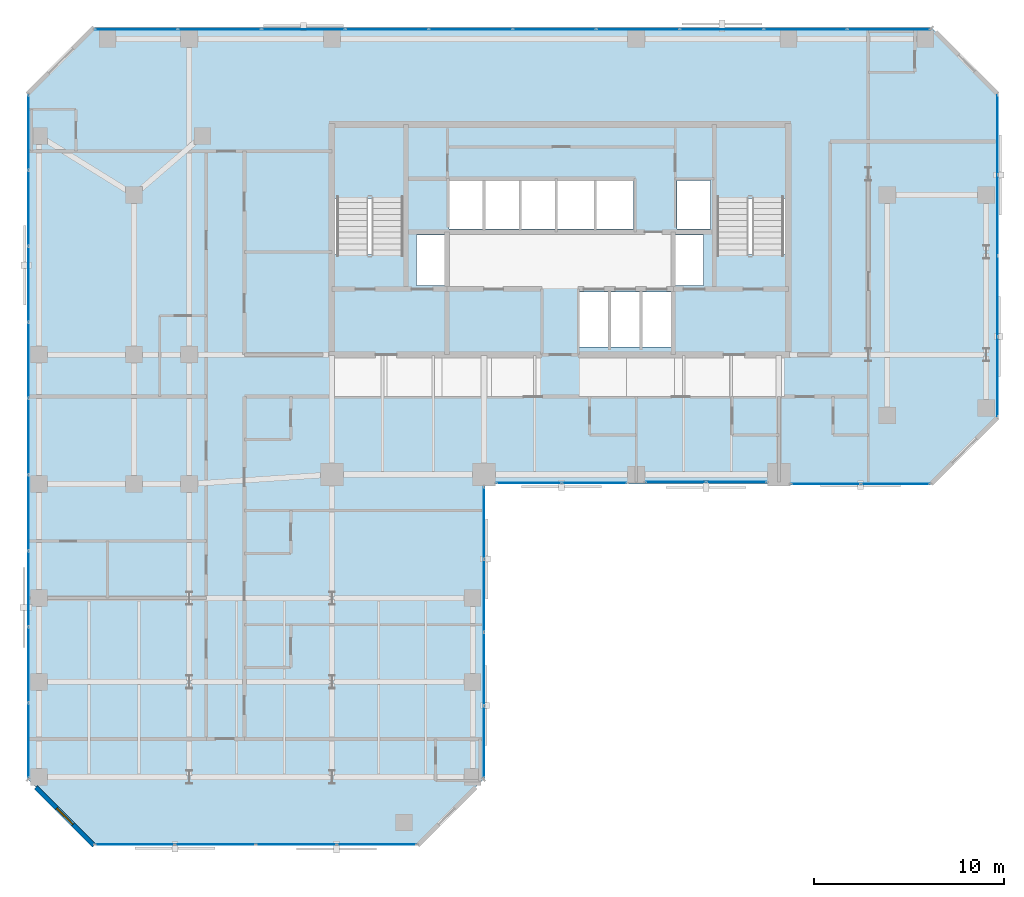
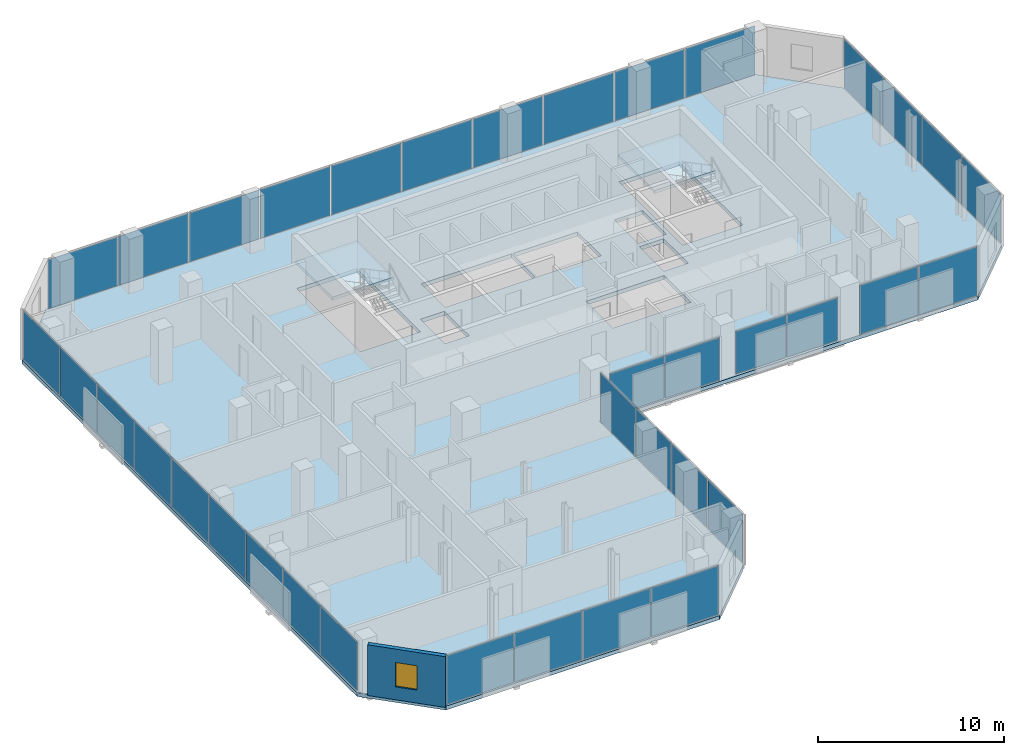
# One storey, part 27 of 34: 37 plates, 3 slabs, 1 wall, 1 window, 1 opening, 10 elements without a shape of their own.
"""IFC4 building model written with IfcOpenShell, lengths in metres."""

from ifc_helpers import new_model, si_unit, direction, frame, frame_2d, origin, origin_2d, place, context, subcontext, project, spatial, polyline, rectangle, outline, extrude, material, layer, layer_set, type_object, element, fill, aggregate, save


model = new_model("IFC4")

# Units and contexts
model_context = context("Model", 3, precision=1e-05, world=origin(), true_north=direction((0.0, 1.0)))
body_context = subcontext(model_context, "Body", "Model", "MODEL_VIEW")
ifc_project = project(units=[si_unit("LENGTHUNIT", "METRE"), si_unit("AREAUNIT", "SQUARE_METRE"), si_unit("VOLUMEUNIT", "CUBIC_METRE"), si_unit("PLANEANGLEUNIT", "RADIAN"), si_unit("MASSUNIT", "GRAM", prefix="KILO")], contexts=[model_context])

# Site, building, storey
site_placement = place(None, origin())
site = spatial("IfcSite", under=ifc_project, at=site_placement, CompositionType="ELEMENT")
building_placement = place(site_placement, origin())
building = spatial("IfcBuilding", under=site, at=building_placement, Name="Catumbela Crestline Tower", CompositionType="ELEMENT")
storey_placement = place(building_placement, frame((0.0, 0.0, 97.2)))
storey = spatial("IfcBuildingStorey", under=building, at=storey_placement, Name="L24", CompositionType="ELEMENT", Elevation=97.2)

# Curtain wall, plates
ifc_material_1 = material(Name="Aluminium alloy AW-6060-T66", Category="aluminium")
ifc_layer_1 = layer(ifc_material_1, 0.18, Name="Aluminium alloy AW-6060-T66")
ifc_layer_set_1 = layer_set([ifc_layer_1], Name="Aluminium alloy AW-6060-T66")
curtain_wall_type = type_object("IfcCurtainWallType", Name="CWU-Z2", PredefinedType="USERDEFINED", material=ifc_layer_set_1)
curtain_wall_1_placement = place(storey_placement, origin())
curtain_wall_1 = element("IfcCurtainWall", 1, at=curtain_wall_1_placement, inside=storey, type_object=curtain_wall_type, Name="L24 Unitised Curtain Wall CW-L24-E0S1", ObjectType="UNITISED", PredefinedType="USERDEFINED")
ifc_material_2 = material(Name="Low-E laminated solar-control double glazing", Category="glass")
ifc_layer_2 = layer(ifc_material_2, 0.036, Name="Low-E laminated solar-control double glazing")
ifc_layer_set_2 = layer_set([ifc_layer_2], Name="Low-E laminated solar-control double glazing")
plate_type = type_object("IfcPlateType", Name="PNL-GLZ-Z2", PredefinedType="CURTAIN_PANEL", material=ifc_layer_set_2)
plate_1_placement = place(storey_placement, frame((5.6412, 5.05, 0.06), z_axis=(0.0, 0.0, 1.0), x_axis=(1.0, 0.0, 0.0)))
plate_1 = element("IfcPlate", 2, at=plate_1_placement, type_object=plate_type, Name="CWU-Z2 panel 1.1", PredefinedType="CURTAIN_PANEL", context=body_context, shape_type="SweptSolid", body=[
    extrude(rectangle(XDim=4.1525, YDim=0.034, at=origin_2d()), origin(), (0.0, 0.0, 1.0), 3.21),
])
plate_2_placement = place(storey_placement, frame((9.875, 5.05, 0.06), z_axis=(0.0, 0.0, 1.0), x_axis=(1.0, 0.0, 0.0)))
plate_2 = element("IfcPlate", 3, at=plate_2_placement, type_object=plate_type, Name="CWU-Z2 panel 2.1", PredefinedType="CURTAIN_PANEL", context=body_context, shape_type="SweptSolid", body=[
    extrude(rectangle(XDim=4.185, YDim=0.034, at=origin_2d()), origin(), (0.0, 0.0, 1.0), 3.21),
])
plate_3_placement = place(storey_placement, frame((14.125, 5.05, 0.06), z_axis=(0.0, 0.0, 1.0), x_axis=(1.0, 0.0, 0.0)))
plate_3 = element("IfcPlate", 4, at=plate_3_placement, type_object=plate_type, Name="CWU-Z2 panel 3.1", PredefinedType="CURTAIN_PANEL", context=body_context, shape_type="SweptSolid", body=[
    extrude(rectangle(XDim=4.185, YDim=0.034, at=origin_2d()), origin(), (0.0, 0.0, 1.0), 3.21),
])
plate_4_placement = place(storey_placement, frame((18.3588, 5.05, 0.06), z_axis=(0.0, 0.0, 1.0), x_axis=(1.0, 0.0, 0.0)))
plate_4 = element("IfcPlate", 5, at=plate_4_placement, type_object=plate_type, Name="CWU-Z2 panel 4.1", PredefinedType="CURTAIN_PANEL", context=body_context, shape_type="SweptSolid", body=[
    extrude(rectangle(XDim=4.1525, YDim=0.034, at=origin_2d()), origin(), (0.0, 0.0, 1.0), 3.21),
])
aggregate(curtain_wall_1, [plate_1, plate_2, plate_3, plate_4])

curtain_wall_2_placement = place(storey_placement, origin())
curtain_wall_2 = element("IfcCurtainWall", 6, at=curtain_wall_2_placement, inside=storey, type_object=curtain_wall_type, Name="L24 Unitised Curtain Wall CW-L24-E2S1", ObjectType="UNITISED", PredefinedType="USERDEFINED")
plate_5_placement = place(storey_placement, frame((24.0, 10.4412, 0.06), z_axis=(0.0, 0.0, 1.0), x_axis=(0.0, 1.0, 0.0)))
plate_5 = element("IfcPlate", 7, at=plate_5_placement, type_object=plate_type, Name="CWU-Z2 panel 1.1", PredefinedType="CURTAIN_PANEL", context=body_context, shape_type="SweptSolid", body=[
    extrude(rectangle(XDim=3.7525, YDim=0.034, at=origin_2d()), origin(), (0.0, 0.0, 1.0), 3.21),
])
plate_6_placement = place(storey_placement, frame((24.0, 14.275, 0.06), z_axis=(0.0, 0.0, 1.0), x_axis=(0.0, 1.0, 0.0)))
plate_6 = element("IfcPlate", 8, at=plate_6_placement, type_object=plate_type, Name="CWU-Z2 panel 2.1", PredefinedType="CURTAIN_PANEL", context=body_context, shape_type="SweptSolid", body=[
    extrude(rectangle(XDim=3.785, YDim=0.034, at=origin_2d()), origin(), (0.0, 0.0, 1.0), 3.21),
])
plate_7_placement = place(storey_placement, frame((24.0, 18.125, 0.06), z_axis=(0.0, 0.0, 1.0), x_axis=(0.0, 1.0, 0.0)))
plate_7 = element("IfcPlate", 9, at=plate_7_placement, type_object=plate_type, Name="CWU-Z2 panel 3.1", PredefinedType="CURTAIN_PANEL", context=body_context, shape_type="SweptSolid", body=[
    extrude(rectangle(XDim=3.785, YDim=0.034, at=origin_2d()), origin(), (0.0, 0.0, 1.0), 3.21),
])
plate_8_placement = place(storey_placement, frame((24.0, 21.9587, 0.06), z_axis=(0.0, 0.0, 1.0), x_axis=(0.0, 1.0, 0.0)))
plate_8 = element("IfcPlate", 10, at=plate_8_placement, type_object=plate_type, Name="CWU-Z2 panel 4.1", PredefinedType="CURTAIN_PANEL", context=body_context, shape_type="SweptSolid", body=[
    extrude(rectangle(XDim=3.7525, YDim=0.034, at=origin_2d()), origin(), (0.0, 0.0, 1.0), 3.21),
])
aggregate(curtain_wall_2, [plate_5, plate_6, plate_7, plate_8])

curtain_wall_3_placement = place(storey_placement, origin())
curtain_wall_3 = element("IfcCurtainWall", 11, at=curtain_wall_3_placement, inside=storey, type_object=curtain_wall_type, Name="L24 Unitised Curtain Wall CW-L24-E3S1", ObjectType="UNITISED", PredefinedType="USERDEFINED")
plate_9_placement = place(storey_placement, frame((26.3538, 24.05, 0.06), z_axis=(0.0, 0.0, 1.0), x_axis=(1.0, 0.0, 0.0)))
plate_9 = element("IfcPlate", 12, at=plate_9_placement, type_object=plate_type, Name="CWU-Z2 panel 1.1", PredefinedType="CURTAIN_PANEL", context=body_context, shape_type="SweptSolid", body=[
    extrude(rectangle(XDim=3.3775, YDim=0.034, at=origin_2d()), origin(), (0.0, 0.0, 1.0), 2.8),
])
plate_10_placement = place(storey_placement, frame((29.7962, 24.05, 0.06), z_axis=(0.0, 0.0, 1.0), x_axis=(1.0, 0.0, 0.0)))
plate_10 = element("IfcPlate", 13, at=plate_10_placement, type_object=plate_type, Name="CWU-Z2 panel 2.1", PredefinedType="CURTAIN_PANEL", context=body_context, shape_type="SweptSolid", body=[
    extrude(rectangle(XDim=3.3775, YDim=0.034, at=origin_2d()), origin(), (0.0, 0.0, 1.0), 2.8),
])
aggregate(curtain_wall_3, [plate_9, plate_10])

curtain_wall_4_placement = place(storey_placement, origin())
curtain_wall_4 = element("IfcCurtainWall", 14, at=curtain_wall_4_placement, inside=storey, type_object=curtain_wall_type, Name="L24 Unitised Curtain Wall CW-L24-E3S2", ObjectType="UNITISED", PredefinedType="USERDEFINED")
plate_11_placement = place(storey_placement, frame((34.0788, 24.1, 0.06), z_axis=(0.0, 0.0, 1.0), x_axis=(1.0, 0.0, 0.0)))
plate_11 = element("IfcPlate", 15, at=plate_11_placement, type_object=plate_type, Name="CWU-Z2 panel 1.1", PredefinedType="CURTAIN_PANEL", context=body_context, shape_type="SweptSolid", body=[
    extrude(rectangle(XDim=3.1275, YDim=0.034, at=origin_2d()), origin(), (0.0, 0.0, 1.0), 2.8),
])
plate_12_placement = place(storey_placement, frame((37.2712, 24.1, 0.06), z_axis=(0.0, 0.0, 1.0), x_axis=(1.0, 0.0, 0.0)))
plate_12 = element("IfcPlate", 16, at=plate_12_placement, type_object=plate_type, Name="CWU-Z2 panel 2.1", PredefinedType="CURTAIN_PANEL", context=body_context, shape_type="SweptSolid", body=[
    extrude(rectangle(XDim=3.1275, YDim=0.034, at=origin_2d()), origin(), (0.0, 0.0, 1.0), 2.8),
])
aggregate(curtain_wall_4, [plate_11, plate_12])

curtain_wall_5_placement = place(storey_placement, origin())
curtain_wall_5 = element("IfcCurtainWall", 17, at=curtain_wall_5_placement, inside=storey, type_object=curtain_wall_type, Name="L24 Unitised Curtain Wall CW-L24-E3S3", ObjectType="UNITISED", PredefinedType="USERDEFINED")
plate_13_placement = place(storey_placement, frame((41.9662, 24.0, 0.06), z_axis=(0.0, 0.0, 1.0), x_axis=(1.0, 0.0, 0.0)))
plate_13 = element("IfcPlate", 18, at=plate_13_placement, type_object=plate_type, Name="CWU-Z2 panel 1.1", PredefinedType="CURTAIN_PANEL", context=body_context, shape_type="SweptSolid", body=[
    extrude(rectangle(XDim=3.6025, YDim=0.034, at=origin_2d()), origin(), (0.0, 0.0, 1.0), 3.21),
])
plate_14_placement = place(storey_placement, frame((45.6338, 24.0, 0.06), z_axis=(0.0, 0.0, 1.0), x_axis=(1.0, 0.0, 0.0)))
plate_14 = element("IfcPlate", 19, at=plate_14_placement, type_object=plate_type, Name="CWU-Z2 panel 2.1", PredefinedType="CURTAIN_PANEL", context=body_context, shape_type="SweptSolid", body=[
    extrude(rectangle(XDim=3.6025, YDim=0.034, at=origin_2d()), origin(), (0.0, 0.0, 1.0), 3.21),
])
aggregate(curtain_wall_5, [plate_13, plate_14])

curtain_wall_6_placement = place(storey_placement, origin())
curtain_wall_6 = element("IfcCurtainWall", 20, at=curtain_wall_6_placement, inside=storey, type_object=curtain_wall_type, Name="L24 Unitised Curtain Wall CW-L24-E5S1", ObjectType="UNITISED", PredefinedType="USERDEFINED")
plate_15_placement = place(storey_placement, frame((51.0, 29.6412, 0.06), z_axis=(0.0, 0.0, 1.0), x_axis=(0.0, 1.0, 0.0)))
plate_15 = element("IfcPlate", 21, at=plate_15_placement, type_object=plate_type, Name="CWU-Z2 panel 1.1", PredefinedType="CURTAIN_PANEL", context=body_context, shape_type="SweptSolid", body=[
    extrude(rectangle(XDim=4.1525, YDim=0.034, at=origin_2d()), origin(), (0.0, 0.0, 1.0), 3.21),
])
plate_16_placement = place(storey_placement, frame((51.0, 33.875, 0.06), z_axis=(0.0, 0.0, 1.0), x_axis=(0.0, 1.0, 0.0)))
plate_16 = element("IfcPlate", 22, at=plate_16_placement, type_object=plate_type, Name="CWU-Z2 panel 2.1", PredefinedType="CURTAIN_PANEL", context=body_context, shape_type="SweptSolid", body=[
    extrude(rectangle(XDim=4.185, YDim=0.034, at=origin_2d()), origin(), (0.0, 0.0, 1.0), 3.21),
])
plate_17_placement = place(storey_placement, frame((51.0, 38.125, 0.06), z_axis=(0.0, 0.0, 1.0), x_axis=(0.0, 1.0, 0.0)))
plate_17 = element("IfcPlate", 23, at=plate_17_placement, type_object=plate_type, Name="CWU-Z2 panel 3.1", PredefinedType="CURTAIN_PANEL", context=body_context, shape_type="SweptSolid", body=[
    extrude(rectangle(XDim=4.185, YDim=0.034, at=origin_2d()), origin(), (0.0, 0.0, 1.0), 3.21),
])
plate_18_placement = place(storey_placement, frame((51.0, 42.3588, 0.06), z_axis=(0.0, 0.0, 1.0), x_axis=(0.0, 1.0, 0.0)))
plate_18 = element("IfcPlate", 24, at=plate_18_placement, type_object=plate_type, Name="CWU-Z2 panel 4.1", PredefinedType="CURTAIN_PANEL", context=body_context, shape_type="SweptSolid", body=[
    extrude(rectangle(XDim=4.1525, YDim=0.034, at=origin_2d()), origin(), (0.0, 0.0, 1.0), 3.21),
])
aggregate(curtain_wall_6, [plate_15, plate_16, plate_17, plate_18])

curtain_wall_7_placement = place(storey_placement, origin())
curtain_wall_7 = element("IfcCurtainWall", 25, at=curtain_wall_7_placement, inside=storey, type_object=curtain_wall_type, Name="L24 Unitised Curtain Wall CW-L24-E7S1", ObjectType="UNITISED", PredefinedType="USERDEFINED")
plate_19_placement = place(storey_placement, frame((45.2838, 47.9, 0.06), z_axis=(0.0, 0.0, 1.0), x_axis=(-1.0, 0.0, 0.0)))
plate_19 = element("IfcPlate", 26, at=plate_19_placement, type_object=plate_type, Name="CWU-Z2 panel 1.1", PredefinedType="CURTAIN_PANEL", context=body_context, shape_type="SweptSolid", body=[
    extrude(rectangle(XDim=4.3025, YDim=0.034, at=origin_2d()), origin(), (0.0, 0.0, 1.0), 3.21),
])
plate_20_placement = place(storey_placement, frame((40.9, 47.9, 0.06), z_axis=(0.0, 0.0, 1.0), x_axis=(-1.0, 0.0, 0.0)))
plate_20 = element("IfcPlate", 27, at=plate_20_placement, type_object=plate_type, Name="CWU-Z2 panel 2.1", PredefinedType="CURTAIN_PANEL", context=body_context, shape_type="SweptSolid", body=[
    extrude(rectangle(XDim=4.335, YDim=0.034, at=origin_2d()), origin(), (0.0, 0.0, 1.0), 3.21),
])
plate_21_placement = place(storey_placement, frame((36.5, 47.9, 0.06), z_axis=(0.0, 0.0, 1.0), x_axis=(-1.0, 0.0, 0.0)))
plate_21 = element("IfcPlate", 28, at=plate_21_placement, type_object=plate_type, Name="CWU-Z2 panel 3.1", PredefinedType="CURTAIN_PANEL", context=body_context, shape_type="SweptSolid", body=[
    extrude(rectangle(XDim=4.335, YDim=0.034, at=origin_2d()), origin(), (0.0, 0.0, 1.0), 3.21),
])
plate_22_placement = place(storey_placement, frame((32.1, 47.9, 0.06), z_axis=(0.0, 0.0, 1.0), x_axis=(-1.0, 0.0, 0.0)))
plate_22 = element("IfcPlate", 29, at=plate_22_placement, type_object=plate_type, Name="CWU-Z2 panel 4.1", PredefinedType="CURTAIN_PANEL", context=body_context, shape_type="SweptSolid", body=[
    extrude(rectangle(XDim=4.335, YDim=0.034, at=origin_2d()), origin(), (0.0, 0.0, 1.0), 3.21),
])
plate_23_placement = place(storey_placement, frame((27.7, 47.9, 0.06), z_axis=(0.0, 0.0, 1.0), x_axis=(-1.0, 0.0, 0.0)))
plate_23 = element("IfcPlate", 30, at=plate_23_placement, type_object=plate_type, Name="CWU-Z2 panel 5.1", PredefinedType="CURTAIN_PANEL", context=body_context, shape_type="SweptSolid", body=[
    extrude(rectangle(XDim=4.335, YDim=0.034, at=origin_2d()), origin(), (0.0, 0.0, 1.0), 3.21),
])
plate_24_placement = place(storey_placement, frame((23.3, 47.9, 0.06), z_axis=(0.0, 0.0, 1.0), x_axis=(-1.0, 0.0, 0.0)))
plate_24 = element("IfcPlate", 31, at=plate_24_placement, type_object=plate_type, Name="CWU-Z2 panel 6.1", PredefinedType="CURTAIN_PANEL", context=body_context, shape_type="SweptSolid", body=[
    extrude(rectangle(XDim=4.335, YDim=0.034, at=origin_2d()), origin(), (0.0, 0.0, 1.0), 3.21),
])
plate_25_placement = place(storey_placement, frame((18.9, 47.9, 0.06), z_axis=(0.0, 0.0, 1.0), x_axis=(-1.0, 0.0, 0.0)))
plate_25 = element("IfcPlate", 32, at=plate_25_placement, type_object=plate_type, Name="CWU-Z2 panel 7.1", PredefinedType="CURTAIN_PANEL", context=body_context, shape_type="SweptSolid", body=[
    extrude(rectangle(XDim=4.335, YDim=0.034, at=origin_2d()), origin(), (0.0, 0.0, 1.0), 3.21),
])
plate_26_placement = place(storey_placement, frame((14.5, 47.9, 0.06), z_axis=(0.0, 0.0, 1.0), x_axis=(-1.0, 0.0, 0.0)))
plate_26 = element("IfcPlate", 33, at=plate_26_placement, type_object=plate_type, Name="CWU-Z2 panel 8.1", PredefinedType="CURTAIN_PANEL", context=body_context, shape_type="SweptSolid", body=[
    extrude(rectangle(XDim=4.335, YDim=0.034, at=origin_2d()), origin(), (0.0, 0.0, 1.0), 3.21),
])
plate_27_placement = place(storey_placement, frame((10.1, 47.9, 0.06), z_axis=(0.0, 0.0, 1.0), x_axis=(-1.0, 0.0, 0.0)))
plate_27 = element("IfcPlate", 34, at=plate_27_placement, type_object=plate_type, Name="CWU-Z2 panel 9.1", PredefinedType="CURTAIN_PANEL", context=body_context, shape_type="SweptSolid", body=[
    extrude(rectangle(XDim=4.335, YDim=0.034, at=origin_2d()), origin(), (0.0, 0.0, 1.0), 3.21),
])
plate_28_placement = place(storey_placement, frame((5.7162, 47.9, 0.06), z_axis=(0.0, 0.0, 1.0), x_axis=(-1.0, 0.0, 0.0)))
plate_28 = element("IfcPlate", 35, at=plate_28_placement, type_object=plate_type, Name="CWU-Z2 panel 10.1", PredefinedType="CURTAIN_PANEL", context=body_context, shape_type="SweptSolid", body=[
    extrude(rectangle(XDim=4.3025, YDim=0.034, at=origin_2d()), origin(), (0.0, 0.0, 1.0), 3.21),
])
aggregate(curtain_wall_7, [plate_19, plate_20, plate_21, plate_22, plate_23, plate_24, plate_25, plate_26, plate_27, plate_28])

curtain_wall_8_placement = place(storey_placement, origin())
curtain_wall_8 = element("IfcCurtainWall", 36, at=curtain_wall_8_placement, inside=storey, type_object=curtain_wall_type, Name="L24 Unitised Curtain Wall CW-L24-E9S1", ObjectType="UNITISED", PredefinedType="USERDEFINED")
plate_29_placement = place(storey_placement, frame((0.05, 42.4838, 0.06), z_axis=(0.0, 0.0, 1.0), x_axis=(0.0, -1.0, 0.0)))
plate_29 = element("IfcPlate", 37, at=plate_29_placement, type_object=plate_type, Name="CWU-Z2 panel 1.1", PredefinedType="CURTAIN_PANEL", context=body_context, shape_type="SweptSolid", body=[
    extrude(rectangle(XDim=3.9025, YDim=0.034, at=origin_2d()), origin(), (0.0, 0.0, 1.0), 3.21),
])
plate_30_placement = place(storey_placement, frame((0.05, 38.5, 0.06), z_axis=(0.0, 0.0, 1.0), x_axis=(0.0, -1.0, 0.0)))
plate_30 = element("IfcPlate", 38, at=plate_30_placement, type_object=plate_type, Name="CWU-Z2 panel 2.1", PredefinedType="CURTAIN_PANEL", context=body_context, shape_type="SweptSolid", body=[
    extrude(rectangle(XDim=3.935, YDim=0.034, at=origin_2d()), origin(), (0.0, 0.0, 1.0), 3.21),
])
plate_31_placement = place(storey_placement, frame((0.05, 34.5, 0.06), z_axis=(0.0, 0.0, 1.0), x_axis=(0.0, -1.0, 0.0)))
plate_31 = element("IfcPlate", 39, at=plate_31_placement, type_object=plate_type, Name="CWU-Z2 panel 3.1", PredefinedType="CURTAIN_PANEL", context=body_context, shape_type="SweptSolid", body=[
    extrude(rectangle(XDim=3.935, YDim=0.034, at=origin_2d()), origin(), (0.0, 0.0, 1.0), 3.21),
])
plate_32_placement = place(storey_placement, frame((0.05, 30.5, 0.06), z_axis=(0.0, 0.0, 1.0), x_axis=(0.0, -1.0, 0.0)))
plate_32 = element("IfcPlate", 40, at=plate_32_placement, type_object=plate_type, Name="CWU-Z2 panel 4.1", PredefinedType="CURTAIN_PANEL", context=body_context, shape_type="SweptSolid", body=[
    extrude(rectangle(XDim=3.935, YDim=0.034, at=origin_2d()), origin(), (0.0, 0.0, 1.0), 3.21),
])
plate_33_placement = place(storey_placement, frame((0.05, 26.5, 0.06), z_axis=(0.0, 0.0, 1.0), x_axis=(0.0, -1.0, 0.0)))
plate_33 = element("IfcPlate", 41, at=plate_33_placement, type_object=plate_type, Name="CWU-Z2 panel 5.1", PredefinedType="CURTAIN_PANEL", context=body_context, shape_type="SweptSolid", body=[
    extrude(rectangle(XDim=3.935, YDim=0.034, at=origin_2d()), origin(), (0.0, 0.0, 1.0), 3.21),
])
plate_34_placement = place(storey_placement, frame((0.05, 22.5, 0.06), z_axis=(0.0, 0.0, 1.0), x_axis=(0.0, -1.0, 0.0)))
plate_34 = element("IfcPlate", 42, at=plate_34_placement, type_object=plate_type, Name="CWU-Z2 panel 6.1", PredefinedType="CURTAIN_PANEL", context=body_context, shape_type="SweptSolid", body=[
    extrude(rectangle(XDim=3.935, YDim=0.034, at=origin_2d()), origin(), (0.0, 0.0, 1.0), 3.21),
])
plate_35_placement = place(storey_placement, frame((0.05, 18.5, 0.06), z_axis=(0.0, 0.0, 1.0), x_axis=(0.0, -1.0, 0.0)))
plate_35 = element("IfcPlate", 43, at=plate_35_placement, type_object=plate_type, Name="CWU-Z2 panel 7.1", PredefinedType="CURTAIN_PANEL", context=body_context, shape_type="SweptSolid", body=[
    extrude(rectangle(XDim=3.935, YDim=0.034, at=origin_2d()), origin(), (0.0, 0.0, 1.0), 3.21),
])
plate_36_placement = place(storey_placement, frame((0.05, 14.5, 0.06), z_axis=(0.0, 0.0, 1.0), x_axis=(0.0, -1.0, 0.0)))
plate_36 = element("IfcPlate", 44, at=plate_36_placement, type_object=plate_type, Name="CWU-Z2 panel 8.1", PredefinedType="CURTAIN_PANEL", context=body_context, shape_type="SweptSolid", body=[
    extrude(rectangle(XDim=3.935, YDim=0.034, at=origin_2d()), origin(), (0.0, 0.0, 1.0), 3.21),
])
plate_37_placement = place(storey_placement, frame((0.05, 10.5162, 0.06), z_axis=(0.0, 0.0, 1.0), x_axis=(0.0, -1.0, 0.0)))
plate_37 = element("IfcPlate", 45, at=plate_37_placement, type_object=plate_type, Name="CWU-Z2 panel 9.1", PredefinedType="CURTAIN_PANEL", context=body_context, shape_type="SweptSolid", body=[
    extrude(rectangle(XDim=3.9025, YDim=0.034, at=origin_2d()), origin(), (0.0, 0.0, 1.0), 3.21),
])
aggregate(curtain_wall_8, [plate_29, plate_30, plate_31, plate_32, plate_33, plate_34, plate_35, plate_36, plate_37])

# Stair, slab
ifc_material_3 = material(Name="Concrete C45/55", Category="concrete")
stair_type = type_object("IfcStairType", Name="ST-DLG", PredefinedType="HALF_TURN_STAIR", material=ifc_material_3)
stair_1_placement = place(storey_placement, origin())
stair_1 = element("IfcStair", 46, at=stair_1_placement, inside=storey, type_object=stair_type, Name="L24 West Core Pressurised Exit Stair ST-01", PredefinedType="HALF_TURN_STAIR")
ifc_layer_3 = layer(ifc_material_3, 0.2, Name="Concrete C45/55")
ifc_layer_set_3 = layer_set([ifc_layer_3], Name="Concrete C45/55")
slab_type_1 = type_object("IfcSlabType", Name="SL-LND", PredefinedType="LANDING", material=ifc_layer_set_3)
slab_1_placement = place(storey_placement, frame((0.0, 0.0, 1.6)))
slab_1 = element("IfcSlab", 47, at=slab_1_placement, type_object=slab_type_1, Name="ST-01 landing 1", PredefinedType="LANDING", context=body_context, shape_type="SweptSolid", body=[
    extrude(outline(polyline([(19.91, 39.02), (19.91, 42.96), (16.09, 42.96), (16.09, 39.02), (19.91, 39.02)])), origin(), (0.0, 0.0, 1.0), 0.2),
])
aggregate(stair_1, [slab_1])

stair_2_placement = place(storey_placement, origin())
stair_2 = element("IfcStair", 48, at=stair_2_placement, inside=storey, type_object=stair_type, Name="L24 East Core Pressurised Exit Stair ST-02", PredefinedType="HALF_TURN_STAIR")
slab_2_placement = place(storey_placement, frame((0.0, 0.0, 1.6)))
slab_2 = element("IfcSlab", 49, at=slab_2_placement, type_object=slab_type_1, Name="ST-02 landing 1", PredefinedType="LANDING", context=body_context, shape_type="SweptSolid", body=[
    extrude(outline(polyline([(39.91, 39.02), (39.91, 42.96), (36.09, 42.96), (36.09, 39.02), (39.91, 39.02)])), origin(), (0.0, 0.0, 1.0), 0.2),
])
aggregate(stair_2, [slab_2])

# Slab
ifc_layer_4 = layer(ifc_material_3, 0.26, Name="Concrete C45/55")
ifc_layer_set_4 = layer_set([ifc_layer_4], Name="Concrete C45/55")
slab_type_2 = type_object("IfcSlabType", Name="SL-260", PredefinedType="FLOOR", material=ifc_layer_set_4)
slab_3_placement = place(storey_placement, frame((0.0, 0.0, -0.26)))
element("IfcSlab", 50, at=slab_3_placement, inside=storey, type_object=slab_type_2, Name="L24 Structural Floor Slab", PredefinedType="FLOOR", context=body_context, shape_type="SweptSolid", body=[
    extrude(outline(polyline([(3.5, 5.0), (20.5, 5.0), (24.0, 8.5), (24.0, 24.0), (47.5, 24.0), (51.0, 27.5), (51.0, 44.5), (47.5, 48.0), (3.5, 48.0), (0.0, 44.5), (0.0, 8.5), (3.5, 5.0)]), holes=[polyline([(16.13, 36.08), (19.87, 36.08), (19.87, 42.92), (16.13, 42.92), (16.13, 36.08)]), polyline([(36.13, 36.08), (39.87, 36.08), (39.87, 42.92), (36.13, 42.92), (36.13, 36.08)]), polyline([(29.0, 31.2), (33.85, 31.2), (33.85, 34.1), (29.0, 34.1), (29.0, 31.2)]), polyline([(22.15, 37.4), (27.75, 37.4), (27.75, 39.95), (22.15, 39.95), (22.15, 37.4)]), polyline([(27.85, 37.4), (31.85, 37.4), (31.85, 39.95), (27.85, 39.95), (27.85, 37.4)]), polyline([(20.45, 34.45), (21.95, 34.45), (21.95, 37.1), (20.45, 37.1), (20.45, 34.45)]), polyline([(34.05, 34.45), (35.55, 34.45), (35.55, 37.1), (34.05, 37.1), (34.05, 34.45)]), polyline([(34.15, 37.4), (35.9, 37.4), (35.9, 39.95), (34.15, 39.95), (34.15, 37.4)])]), origin(), (0.0, 0.0, 1.0), 0.26),
])

# Wall, opening, window
ifc_material_4 = material(Name="Angolan grey-ochre granite", Category="masonry")
ifc_layer_5 = layer(ifc_material_4, 0.25, Name="Angolan grey-ochre granite")
ifc_layer_set_5 = layer_set([ifc_layer_5], Name="Angolan grey-ochre granite")
wall_type = type_object("IfcWallType", Name="WE-250", PredefinedType="STANDARD", material=ifc_layer_set_5)
wall_placement = place(storey_placement, frame((0.4384, 8.0616, 0.0), z_axis=(0.0, 0.0, 1.0), x_axis=(0.707106781187, -0.707106781187, 0.0)))
wall = element("IfcWall", 51, at=wall_placement, inside=storey, type_object=wall_type, Name="L24 Granite Punched Window Wall 10-2", PredefinedType="STANDARD", context=body_context, shape_type="SweptSolid", body=[
    extrude(rectangle(XDim=4.3298, YDim=0.25, at=frame_2d((2.1649, 0.0))), origin(), (0.0, 0.0, 1.0), 3.33),
])
opening_placement = place(wall_placement, frame((1.5648, 0.0, 0.85)))
opening = element("IfcOpeningElement", 52, at=opening_placement, cuts=wall, Name="Opening WN-02", PredefinedType="OPENING", context=body_context, shape_type="SweptSolid", body=[
    extrude(rectangle(XDim=1.2, YDim=1.6, at=frame_2d((0.6, 0.8))), frame((0.0, 0.135, 0.0), z_axis=(0.0, -1.0, 0.0), x_axis=(1.0, 0.0, 0.0)), (0.0, 0.0, 1.0), 0.27),
])
window_type = type_object("IfcWindowType", Name="WO-1200", PartitioningType="SINGLE_PANEL", PredefinedType="WINDOW", material=ifc_material_2)
window_placement = place(opening_placement, origin())
window = element("IfcWindow", 53, at=window_placement, inside=storey, type_object=window_type, Name="L24 Facade Vision Window 144", OverallHeight=1.6, OverallWidth=1.2, PartitioningType="SINGLE_PANEL", PredefinedType="WINDOW", context=body_context, shape_type="SweptSolid", body=[
    extrude(rectangle(XDim=1.2, YDim=1.6, at=frame_2d((0.6, 0.8))), frame((0.0, 0.03, 0.0), z_axis=(0.0, -1.0, 0.0), x_axis=(1.0, 0.0, 0.0)), (0.0, 0.0, 1.0), 0.06),
])
fill(opening, window)

save(model, "model.ifc")
